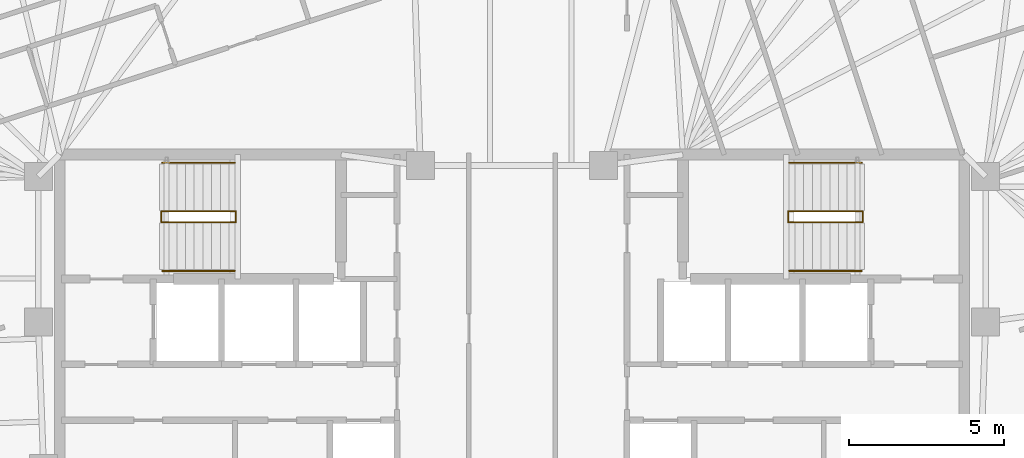
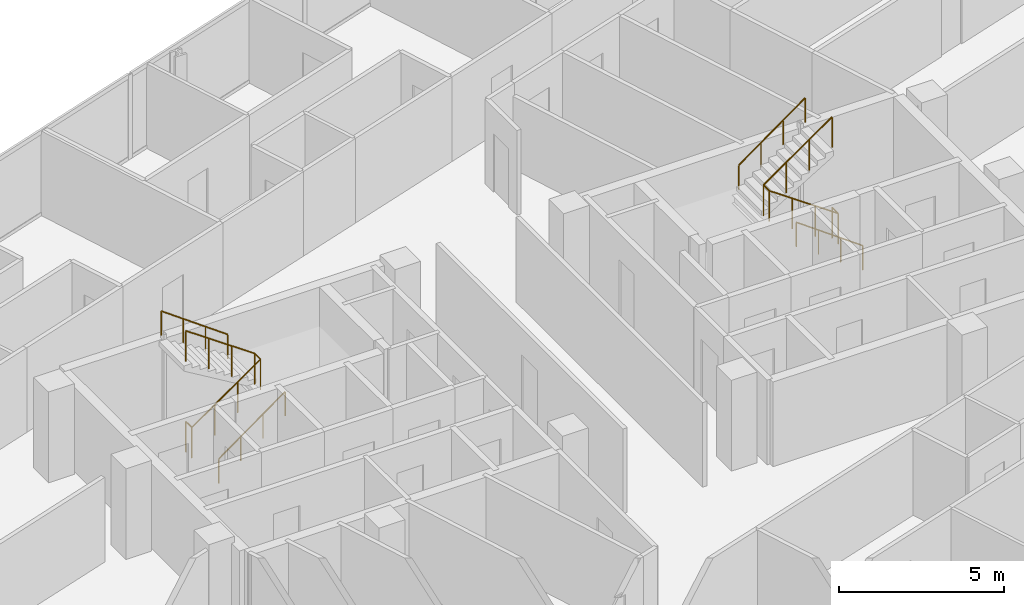
# One storey, part 20 of 20: 6 railings.
"""IFC4 building model written with IfcOpenShell, lengths in metres."""

from ifc_helpers import new_model, si_unit, direction, frame, origin, origin_2d, place, context, subcontext, project, spatial, circle, extrude, material, type_object, element, save


model = new_model("IFC4")

# Units and contexts
model_context = context("Model", 3, precision=1e-05, world=origin(), true_north=direction((0.0, 1.0)))
body_context = subcontext(model_context, "Body", "Model", "MODEL_VIEW")
ifc_project = project(units=[si_unit("LENGTHUNIT", "METRE"), si_unit("AREAUNIT", "SQUARE_METRE"), si_unit("VOLUMEUNIT", "CUBIC_METRE"), si_unit("PLANEANGLEUNIT", "RADIAN"), si_unit("MASSUNIT", "GRAM", prefix="KILO")], contexts=[model_context])

# Site, building, storey
site_placement = place(None, origin())
site = spatial("IfcSite", under=ifc_project, at=site_placement, CompositionType="ELEMENT")
building_placement = place(site_placement, origin())
building = spatial("IfcBuilding", under=site, at=building_placement, Name="Menara Jurai Vektor", CompositionType="ELEMENT")
storey_placement = place(building_placement, frame((0.0, 0.0, 244.39990234375)))
storey = spatial("IfcBuildingStorey", under=building, at=storey_placement, Name="L65", CompositionType="ELEMENT", Elevation=244.39990234375)

# Railings
ifc_material_1 = material(Name="Painted Galvanised Steel Balustrade", Category="steel")
railing_type_1 = type_object("IfcRailingType", Name="RAIL-STAIR-GUARD", PredefinedType="GUARDRAIL", material=ifc_material_1)
railing_1_placement = place(storey_placement, frame((-11.2900390625, 3.780029296875, 0.0)))
element("IfcRailing", 1, at=railing_1_placement, inside=storey, type_object=railing_type_1, Name="ST1 Stair Guardrail 1 L65", PredefinedType="GUARDRAIL", context=body_context, shape_type="SweptSolid", body=[
    extrude(circle(Radius=0.02392578125, at=origin_2d()), frame((0.0, 0.0, 1.1259765625), z_axis=(0.0, -1.0, 0.0), x_axis=(1.0, 0.0, 0.0)), (0.0, 0.0, 1.0), 0.360107421875),
    extrude(circle(Radius=0.02392578125, at=origin_2d()), frame((0.0, -0.360107421875, 1.1259765625), z_axis=(0.820042287322, 0.0, 0.572302932898), x_axis=(0.0, 1.0, 0.0)), (0.0, 0.0, 1.0), 2.9267578125),
    extrude(circle(Radius=0.02392578125, at=origin_2d()), frame((2.400146484375, -0.360107421875, 2.80078125), z_axis=(0.0, 1.0, 0.0), x_axis=(-1.0, 0.0, 0.0)), (0.0, 0.0, 1.0), 0.360107421875),
    extrude(circle(Radius=0.02392578125, at=origin_2d()), frame((2.400146484375, 0.0, 2.80078125), z_axis=(-0.820042287322, 0.0, 0.572302932898), x_axis=(0.0, -1.0, 0.0)), (0.0, 0.0, 1.0), 2.9267578125),
    extrude(circle(Radius=0.02099609375, at=origin_2d()), origin(), (0.0, 0.0, 1.0), 1.101806640625),
    extrude(circle(Radius=0.02099609375, at=origin_2d()), frame((0.0, -0.360107421875, 0.0)), (0.0, 0.0, 1.0), 1.101806640625),
    extrude(circle(Radius=0.02099609375, at=origin_2d()), frame((0.800048828125, -0.360107421875, 0.558349609375)), (0.0, 0.0, 1.0), 1.101806640625),
    extrude(circle(Radius=0.02099609375, at=origin_2d()), frame((1.60009765625, -0.360107421875, 1.11669921875)), (0.0, 0.0, 1.0), 1.101806640625),
    extrude(circle(Radius=0.02099609375, at=origin_2d()), frame((2.400146484375, -0.360107421875, 1.675048828125)), (0.0, 0.0, 1.0), 1.101806640625),
    extrude(circle(Radius=0.02099609375, at=origin_2d()), frame((2.400146484375, 0.0, 1.675048828125)), (0.0, 0.0, 1.0), 1.101806640625),
    extrude(circle(Radius=0.02099609375, at=origin_2d()), frame((1.60009765625, 0.0, 2.2333984375)), (0.0, 0.0, 1.0), 1.101806640625),
    extrude(circle(Radius=0.02099609375, at=origin_2d()), frame((0.800048828125, 0.0, 2.791748046875)), (0.0, 0.0, 1.0), 1.101806640625),
    extrude(circle(Radius=0.02099609375, at=origin_2d()), frame((0.0, 0.0, 3.35009765625)), (0.0, 0.0, 1.0), 1.101806640625),
])
railing_2_placement = place(storey_placement, frame((11.2900390625, 3.780029296875, 0.0)))
element("IfcRailing", 2, at=railing_2_placement, inside=storey, type_object=railing_type_1, Name="ST2 Stair Guardrail 1 L65", PredefinedType="GUARDRAIL", context=body_context, shape_type="SweptSolid", body=[
    extrude(circle(Radius=0.02392578125, at=origin_2d()), frame((0.0, 0.0, 1.1259765625), z_axis=(0.0, -1.0, 0.0), x_axis=(1.0, 0.0, 0.0)), (0.0, 0.0, 1.0), 0.360107421875),
    extrude(circle(Radius=0.02392578125, at=origin_2d()), frame((0.0, -0.360107421875, 1.1259765625), z_axis=(-0.820042287322, 0.0, 0.572302932898), x_axis=(0.0, -1.0, 0.0)), (0.0, 0.0, 1.0), 2.9267578125),
    extrude(circle(Radius=0.02392578125, at=origin_2d()), frame((-2.400146484375, -0.360107421875, 2.80078125), z_axis=(0.0, 1.0, 0.0), x_axis=(-1.0, 0.0, 0.0)), (0.0, 0.0, 1.0), 0.360107421875),
    extrude(circle(Radius=0.02392578125, at=origin_2d()), frame((-2.400146484375, 0.0, 2.80078125), z_axis=(0.820042287322, 0.0, 0.572302932898), x_axis=(0.0, 1.0, 0.0)), (0.0, 0.0, 1.0), 2.9267578125),
    extrude(circle(Radius=0.02099609375, at=origin_2d()), origin(), (0.0, 0.0, 1.0), 1.101806640625),
    extrude(circle(Radius=0.02099609375, at=origin_2d()), frame((0.0, -0.360107421875, 0.0)), (0.0, 0.0, 1.0), 1.101806640625),
    extrude(circle(Radius=0.02099609375, at=origin_2d()), frame((-0.800048828125, -0.360107421875, 0.558349609375)), (0.0, 0.0, 1.0), 1.101806640625),
    extrude(circle(Radius=0.02099609375, at=origin_2d()), frame((-1.60009765625, -0.360107421875, 1.11669921875)), (0.0, 0.0, 1.0), 1.101806640625),
    extrude(circle(Radius=0.02099609375, at=origin_2d()), frame((-2.400146484375, -0.360107421875, 1.675048828125)), (0.0, 0.0, 1.0), 1.101806640625),
    extrude(circle(Radius=0.02099609375, at=origin_2d()), frame((-2.400146484375, 0.0, 1.675048828125)), (0.0, 0.0, 1.0), 1.101806640625),
    extrude(circle(Radius=0.02099609375, at=origin_2d()), frame((-1.60009765625, 0.0, 2.2333984375)), (0.0, 0.0, 1.0), 1.101806640625),
    extrude(circle(Radius=0.02099609375, at=origin_2d()), frame((-0.800048828125, 0.0, 2.791748046875)), (0.0, 0.0, 1.0), 1.101806640625),
    extrude(circle(Radius=0.02099609375, at=origin_2d()), frame((0.0, 0.0, 3.35009765625)), (0.0, 0.0, 1.0), 1.101806640625),
])
ifc_material_2 = material(Name="Brushed Stainless Steel Handrail", Category="steel")
railing_type_2 = type_object("IfcRailingType", Name="RAIL-STAIR-HAND", PredefinedType="HANDRAIL", material=ifc_material_2)
railing_3_placement = place(storey_placement, frame((-11.25, 1.860107421875, 0.0)))
element("IfcRailing", 3, at=railing_3_placement, inside=storey, type_object=railing_type_2, Name="ST1 Stair Handrail 1 L65", PredefinedType="HANDRAIL", context=body_context, shape_type="SweptSolid", body=[
    extrude(circle(Radius=0.02392578125, at=origin_2d()), frame((0.0, 0.0, 0.89599609375), z_axis=(0.810771458067, 0.0, 0.585362830032), x_axis=(0.0, 1.0, 0.0)), (0.0, 0.0, 1.0), 2.861572265625),
    extrude(circle(Radius=0.02099609375, at=origin_2d()), origin(), (0.0, 0.0, 1.0), 0.871826171875),
    extrude(circle(Radius=0.02099609375, at=origin_2d()), frame((0.7734375, 0.0, 0.558349609375)), (0.0, 0.0, 1.0), 0.871826171875),
    extrude(circle(Radius=0.02099609375, at=origin_2d()), frame((1.546630859375, 0.0, 1.11669921875)), (0.0, 0.0, 1.0), 0.871826171875),
    extrude(circle(Radius=0.02099609375, at=origin_2d()), frame((2.320068359375, 0.0, 1.675048828125)), (0.0, 0.0, 1.0), 0.871826171875),
])
for number, where, name in (
    (4, (-8.929931640625, 5.340087890625, 1.675048828125), "ST1 Stair Handrail 2 L65"),
    (5, (11.25, 1.860107421875, 0.0), "ST2 Stair Handrail 1 L65"),
):
    element("IfcRailing", number, at=place(storey_placement, frame(where)), inside=storey, type_object=railing_type_2, Name=name, PredefinedType="HANDRAIL", context=body_context, shape_type="SweptSolid", body=[
        extrude(circle(Radius=0.02392578125, at=origin_2d()), frame((0.0, 0.0, 0.89599609375), z_axis=(-0.810771458067, 0.0, 0.585362830032), x_axis=(0.0, -1.0, 0.0)), (0.0, 0.0, 1.0), 2.861572265625),
        extrude(circle(Radius=0.02099609375, at=origin_2d()), origin(), (0.0, 0.0, 1.0), 0.871826171875),
        extrude(circle(Radius=0.02099609375, at=origin_2d()), frame((-0.7734375, 0.0, 0.558349609375)), (0.0, 0.0, 1.0), 0.871826171875),
        extrude(circle(Radius=0.02099609375, at=origin_2d()), frame((-1.546630859375, 0.0, 1.11669921875)), (0.0, 0.0, 1.0), 0.871826171875),
        extrude(circle(Radius=0.02099609375, at=origin_2d()), frame((-2.320068359375, 0.0, 1.675048828125)), (0.0, 0.0, 1.0), 0.871826171875),
    ])
railing_4_placement = place(storey_placement, frame((8.929931640625, 5.340087890625, 1.675048828125)))
element("IfcRailing", 6, at=railing_4_placement, inside=storey, type_object=railing_type_2, Name="ST2 Stair Handrail 2 L65", PredefinedType="HANDRAIL", context=body_context, shape_type="SweptSolid", body=[
    extrude(circle(Radius=0.02392578125, at=origin_2d()), frame((0.0, 0.0, 0.89599609375), z_axis=(0.810771458067, 0.0, 0.585362830032), x_axis=(0.0, 1.0, 0.0)), (0.0, 0.0, 1.0), 2.861572265625),
    extrude(circle(Radius=0.02099609375, at=origin_2d()), origin(), (0.0, 0.0, 1.0), 0.871826171875),
    extrude(circle(Radius=0.02099609375, at=origin_2d()), frame((0.7734375, 0.0, 0.558349609375)), (0.0, 0.0, 1.0), 0.871826171875),
    extrude(circle(Radius=0.02099609375, at=origin_2d()), frame((1.546630859375, 0.0, 1.11669921875)), (0.0, 0.0, 1.0), 0.871826171875),
    extrude(circle(Radius=0.02099609375, at=origin_2d()), frame((2.320068359375, 0.0, 1.675048828125)), (0.0, 0.0, 1.0), 0.871826171875),
])

save(model, "model.ifc")
